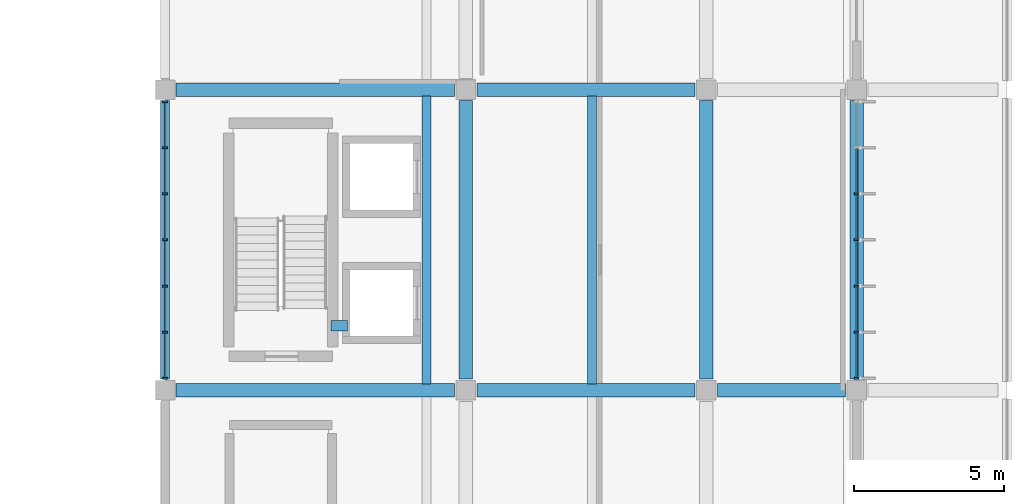
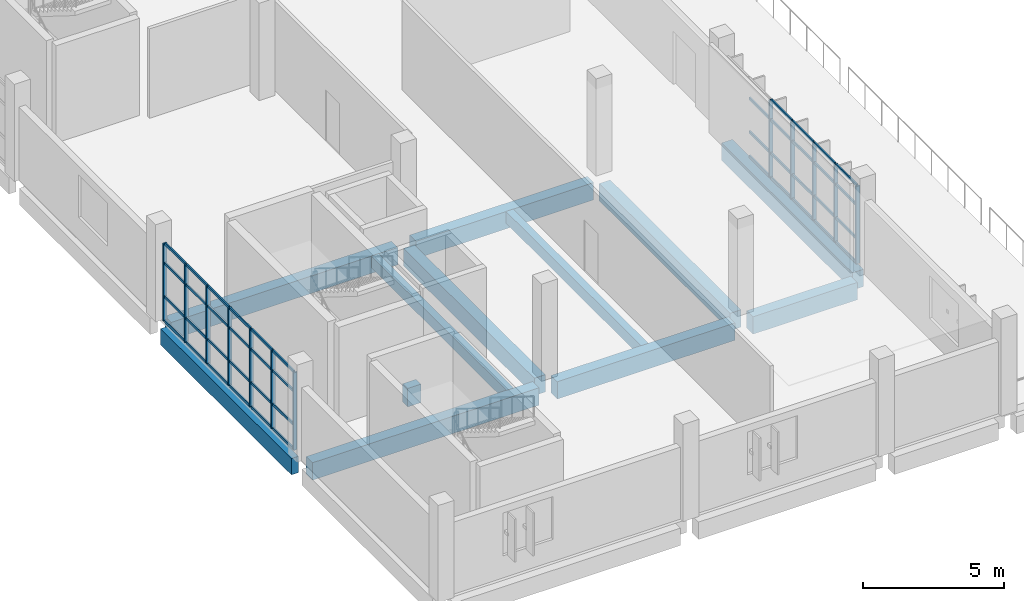
# One storey, part 54 of 142: 55 members, 12 beams, 2 elements without a shape of their own.
"""IFC4 building model written with IfcOpenShell, lengths in metres."""

from ifc_helpers import new_model, si_unit, direction, frame, origin, origin_2d, place, context, subcontext, project, spatial, rectangle, extrude, material, layer, layer_set, material_profile, profile_set, type_object, element, aggregate, save


model = new_model("IFC4")

# Units and contexts
model_context = context("Model", 3, precision=1e-05, world=origin(), true_north=direction((0.0, 1.0)))
body_context = subcontext(model_context, "Body", "Model", "MODEL_VIEW")
ifc_project = project(units=[si_unit("LENGTHUNIT", "METRE"), si_unit("AREAUNIT", "SQUARE_METRE"), si_unit("VOLUMEUNIT", "CUBIC_METRE"), si_unit("PLANEANGLEUNIT", "RADIAN"), si_unit("MASSUNIT", "GRAM", prefix="KILO")], contexts=[model_context])

# Site, building, storey
site_placement = place(None, origin())
site = spatial("IfcSite", under=ifc_project, at=site_placement, CompositionType="ELEMENT")
building_placement = place(site_placement, origin())
building = spatial("IfcBuilding", under=site, at=building_placement, Name="Corvandel Quay Wholesale Market", CompositionType="ELEMENT")
storey_placement = place(building_placement, frame((0.0, 0.0, 10.800048828125)))
storey = spatial("IfcBuildingStorey", under=building, at=storey_placement, Name="L02", CompositionType="ELEMENT", Elevation=10.800048828125)

# Beam
ifc_material_1 = material(Name="Concrete C40/50", Category="concrete")
ifc_material_profile_1 = material_profile(ifc_material_1, rectangle(XDim=0.35009765625, YDim=0.800048828125, at=origin_2d()), Name="RC-CPL-350x800")
ifc_profile_set_1 = profile_set([ifc_material_profile_1], Name="Concrete C40/50")
beam_type_1 = type_object("IfcBeamType", Name="Core Shear Wall Coupling Beam CP01 350x800", PredefinedType="BEAM", material=ifc_profile_set_1)
beam_1_placement = place(storey_placement, frame((225.52490234375, 22.14990234375, -0.650146484375), z_axis=(1.0, 0.0, 0.0), x_axis=(0.0, 1.0, 0.0)))
element("IfcBeam", 1, at=beam_1_placement, inside=storey, type_object=beam_type_1, Name="Core Coupling Beam K6-L02", PredefinedType="BEAM", context=body_context, shape_type="SweptSolid", body=[
    extrude(rectangle(XDim=0.35009765625, YDim=0.800048828125, at=origin_2d()), origin(), (0.0, 0.0, 1.0), 0.550048828125),
])

# Curtain wall, members
ifc_material_2 = material(Name="Bronze anodised aluminium and low-E insulated glazing", Category="aluminium")
ifc_layer_1 = layer(ifc_material_2, 0.197998046875)
ifc_layer_set_1 = layer_set([ifc_layer_1], Name="Bronze anodised aluminium and low-E insulated glazing")
curtain_wall_type_1 = type_object("IfcCurtainWallType", Name="Stick Curtain Wall System CW14 H4260", PredefinedType="NOTDEFINED", material=ifc_layer_set_1)
curtain_wall_1_placement = place(storey_placement, origin())
curtain_wall_1 = element("IfcCurtainWall", 2, at=curtain_wall_1_placement, inside=storey, type_object=curtain_wall_type_1, Name="Curtain Wall CW-0156", PredefinedType="NOTDEFINED")
ifc_material_3 = material(Name="Anodised aluminium 6063-T6", Category="aluminium")
ifc_material_profile_2 = material_profile(ifc_material_3, rectangle(XDim=0.06494140625, YDim=0.14990234375, at=origin_2d()), Name="ALU-MUL-65x150")
ifc_profile_set_2 = profile_set([ifc_material_profile_2], Name="Anodised aluminium 6063-T6")
member_type_1 = type_object("IfcMemberType", Name="Curtain Wall Mullion ML02 65x150", PredefinedType="MULLION", material=ifc_profile_set_2)
member_1_placement = place(storey_placement, frame((243.0, 20.39990234375, 0.0), z_axis=(0.0, 0.0, 1.0), x_axis=(0.0, 1.0, 0.0)))
member_1 = element("IfcMember", 3, at=member_1_placement, type_object=member_type_1, Name="Mullion CW-0156-M00", PredefinedType="MULLION", context=body_context, shape_type="SweptSolid", body=[
    extrude(rectangle(XDim=0.06494140625, YDim=0.14990234375, at=origin_2d()), origin(), (0.0, 0.0, 1.0), 3.349853515625),
])
member_2_placement = place(storey_placement, frame((243.0, 21.933349609375, 0.0), z_axis=(0.0, 0.0, 1.0), x_axis=(0.0, 1.0, 0.0)))
member_2 = element("IfcMember", 4, at=member_2_placement, type_object=member_type_1, Name="Mullion CW-0156-M01", PredefinedType="MULLION", context=body_context, shape_type="SweptSolid", body=[
    extrude(rectangle(XDim=0.06494140625, YDim=0.14990234375, at=origin_2d()), origin(), (0.0, 0.0, 1.0), 3.349853515625),
])
member_3_placement = place(storey_placement, frame((243.0, 23.466796875, 0.0), z_axis=(0.0, 0.0, 1.0), x_axis=(0.0, 1.0, 0.0)))
member_3 = element("IfcMember", 5, at=member_3_placement, type_object=member_type_1, Name="Mullion CW-0156-M02", PredefinedType="MULLION", context=body_context, shape_type="SweptSolid", body=[
    extrude(rectangle(XDim=0.06494140625, YDim=0.14990234375, at=origin_2d()), origin(), (0.0, 0.0, 1.0), 3.349853515625),
])
member_4_placement = place(storey_placement, frame((243.0, 25.0, 0.0), z_axis=(0.0, 0.0, 1.0), x_axis=(0.0, 1.0, 0.0)))
member_4 = element("IfcMember", 6, at=member_4_placement, type_object=member_type_1, Name="Mullion CW-0156-M03", PredefinedType="MULLION", context=body_context, shape_type="SweptSolid", body=[
    extrude(rectangle(XDim=0.06494140625, YDim=0.14990234375, at=origin_2d()), origin(), (0.0, 0.0, 1.0), 3.349853515625),
])
member_5_placement = place(storey_placement, frame((243.0, 26.533203125, 0.0), z_axis=(0.0, 0.0, 1.0), x_axis=(0.0, 1.0, 0.0)))
member_5 = element("IfcMember", 7, at=member_5_placement, type_object=member_type_1, Name="Mullion CW-0156-M04", PredefinedType="MULLION", context=body_context, shape_type="SweptSolid", body=[
    extrude(rectangle(XDim=0.06494140625, YDim=0.14990234375, at=origin_2d()), origin(), (0.0, 0.0, 1.0), 3.349853515625),
])

ifc_layer_2 = layer(ifc_material_2, 0.14990234375)
ifc_layer_set_2 = layer_set([ifc_layer_2], Name="Bronze anodised aluminium and low-E insulated glazing")
curtain_wall_type_2 = type_object("IfcCurtainWallType", Name="Stick Curtain Wall System CW20 H4800", PredefinedType="NOTDEFINED", material=ifc_layer_set_2)
curtain_wall_2_placement = place(storey_placement, origin())
curtain_wall_2 = element("IfcCurtainWall", 8, at=curtain_wall_2_placement, inside=storey, type_object=curtain_wall_type_2, Name="Curtain Wall CW-0157", PredefinedType="NOTDEFINED")
member_6_placement = place(storey_placement, frame((220.0, 20.39990234375, 0.0), z_axis=(0.0, 0.0, 1.0), x_axis=(0.0, 1.0, 0.0)))
member_6 = element("IfcMember", 9, at=member_6_placement, type_object=member_type_1, Name="Mullion CW-0157-M00", PredefinedType="MULLION", context=body_context, shape_type="SweptSolid", body=[
    extrude(rectangle(XDim=0.06494140625, YDim=0.14990234375, at=origin_2d()), origin(), (0.0, 0.0, 1.0), 3.349853515625),
])
member_7_placement = place(storey_placement, frame((220.0, 21.933349609375, 0.0), z_axis=(0.0, 0.0, 1.0), x_axis=(0.0, 1.0, 0.0)))
member_7 = element("IfcMember", 10, at=member_7_placement, type_object=member_type_1, Name="Mullion CW-0157-M01", PredefinedType="MULLION", context=body_context, shape_type="SweptSolid", body=[
    extrude(rectangle(XDim=0.06494140625, YDim=0.14990234375, at=origin_2d()), origin(), (0.0, 0.0, 1.0), 3.349853515625),
])
member_8_placement = place(storey_placement, frame((220.0, 23.466796875, 0.0), z_axis=(0.0, 0.0, 1.0), x_axis=(0.0, 1.0, 0.0)))
member_8 = element("IfcMember", 11, at=member_8_placement, type_object=member_type_1, Name="Mullion CW-0157-M02", PredefinedType="MULLION", context=body_context, shape_type="SweptSolid", body=[
    extrude(rectangle(XDim=0.06494140625, YDim=0.14990234375, at=origin_2d()), origin(), (0.0, 0.0, 1.0), 3.349853515625),
])
member_9_placement = place(storey_placement, frame((220.0, 25.0, 0.0), z_axis=(0.0, 0.0, 1.0), x_axis=(0.0, 1.0, 0.0)))
member_9 = element("IfcMember", 12, at=member_9_placement, type_object=member_type_1, Name="Mullion CW-0157-M03", PredefinedType="MULLION", context=body_context, shape_type="SweptSolid", body=[
    extrude(rectangle(XDim=0.06494140625, YDim=0.14990234375, at=origin_2d()), origin(), (0.0, 0.0, 1.0), 3.349853515625),
])
member_10_placement = place(storey_placement, frame((220.0, 26.533203125, 0.0), z_axis=(0.0, 0.0, 1.0), x_axis=(0.0, 1.0, 0.0)))
member_10 = element("IfcMember", 13, at=member_10_placement, type_object=member_type_1, Name="Mullion CW-0157-M04", PredefinedType="MULLION", context=body_context, shape_type="SweptSolid", body=[
    extrude(rectangle(XDim=0.06494140625, YDim=0.14990234375, at=origin_2d()), origin(), (0.0, 0.0, 1.0), 3.349853515625),
])
member_11_placement = place(storey_placement, frame((220.0, 28.066650390625, 0.0), z_axis=(0.0, 0.0, 1.0), x_axis=(0.0, 1.0, 0.0)))
member_11 = element("IfcMember", 14, at=member_11_placement, type_object=member_type_1, Name="Mullion CW-0157-M05", PredefinedType="MULLION", context=body_context, shape_type="SweptSolid", body=[
    extrude(rectangle(XDim=0.06494140625, YDim=0.14990234375, at=origin_2d()), origin(), (0.0, 0.0, 1.0), 3.349853515625),
])
member_12_placement = place(storey_placement, frame((220.0, 29.60009765625, 0.0), z_axis=(0.0, 0.0, 1.0), x_axis=(0.0, 1.0, 0.0)))
member_12 = element("IfcMember", 15, at=member_12_placement, type_object=member_type_1, Name="Mullion CW-0157-M06", PredefinedType="MULLION", context=body_context, shape_type="SweptSolid", body=[
    extrude(rectangle(XDim=0.06494140625, YDim=0.14990234375, at=origin_2d()), origin(), (0.0, 0.0, 1.0), 3.349853515625),
])

# Member
ifc_material_profile_3 = material_profile(ifc_material_3, rectangle(XDim=0.06005859375, YDim=0.110107421875, at=origin_2d()), Name="ALU-TRN-60x110")
ifc_profile_set_3 = profile_set([ifc_material_profile_3], Name="Anodised aluminium 6063-T6")
member_type_2 = type_object("IfcMemberType", Name="Curtain Wall Transom TR02 60x110", PredefinedType="USERDEFINED", material=ifc_profile_set_3)
member_13_placement = place(storey_placement, frame((243.0, 20.4326171875, 0.0), z_axis=(0.0, 1.0, 0.0), x_axis=(-1.0, 0.0, 0.0)))
member_13 = element("IfcMember", 16, at=member_13_placement, type_object=member_type_2, Name="Transom CW-0156-T00-0", ObjectType="TRANSOM", PredefinedType="USERDEFINED", context=body_context, shape_type="SweptSolid", body=[
    extrude(rectangle(XDim=0.06005859375, YDim=0.110107421875, at=origin_2d()), origin(), (0.0, 0.0, 1.0), 1.46826171875),
])

member_14_placement = place(storey_placement, frame((243.0, 20.4326171875, 1.050048828125), z_axis=(0.0, 1.0, 0.0), x_axis=(-1.0, 0.0, 0.0)))
member_14 = element("IfcMember", 17, at=member_14_placement, type_object=member_type_2, Name="Transom CW-0156-T00-1", ObjectType="TRANSOM", PredefinedType="USERDEFINED", context=body_context, shape_type="SweptSolid", body=[
    extrude(rectangle(XDim=0.06005859375, YDim=0.110107421875, at=origin_2d()), origin(), (0.0, 0.0, 1.0), 1.46826171875),
])

member_15_placement = place(storey_placement, frame((243.0, 20.4326171875, 2.5), z_axis=(0.0, 1.0, 0.0), x_axis=(-1.0, 0.0, 0.0)))
member_15 = element("IfcMember", 18, at=member_15_placement, type_object=member_type_2, Name="Transom CW-0156-T00-2", ObjectType="TRANSOM", PredefinedType="USERDEFINED", context=body_context, shape_type="SweptSolid", body=[
    extrude(rectangle(XDim=0.06005859375, YDim=0.110107421875, at=origin_2d()), origin(), (0.0, 0.0, 1.0), 1.46826171875),
])

member_16_placement = place(storey_placement, frame((243.0, 20.4326171875, 3.349853515625), z_axis=(0.0, 1.0, 0.0), x_axis=(-1.0, 0.0, 0.0)))
member_16 = element("IfcMember", 19, at=member_16_placement, type_object=member_type_2, Name="Transom CW-0156-T00-3", ObjectType="TRANSOM", PredefinedType="USERDEFINED", context=body_context, shape_type="SweptSolid", body=[
    extrude(rectangle(XDim=0.06005859375, YDim=0.110107421875, at=origin_2d()), origin(), (0.0, 0.0, 1.0), 1.46826171875),
])

member_17_placement = place(storey_placement, frame((243.0, 21.9658203125, 0.0), z_axis=(0.0, 1.0, 0.0), x_axis=(-1.0, 0.0, 0.0)))
member_17 = element("IfcMember", 20, at=member_17_placement, type_object=member_type_2, Name="Transom CW-0156-T01-0", ObjectType="TRANSOM", PredefinedType="USERDEFINED", context=body_context, shape_type="SweptSolid", body=[
    extrude(rectangle(XDim=0.06005859375, YDim=0.110107421875, at=origin_2d()), origin(), (0.0, 0.0, 1.0), 1.46826171875),
])

member_18_placement = place(storey_placement, frame((243.0, 21.9658203125, 1.050048828125), z_axis=(0.0, 1.0, 0.0), x_axis=(-1.0, 0.0, 0.0)))
member_18 = element("IfcMember", 21, at=member_18_placement, type_object=member_type_2, Name="Transom CW-0156-T01-1", ObjectType="TRANSOM", PredefinedType="USERDEFINED", context=body_context, shape_type="SweptSolid", body=[
    extrude(rectangle(XDim=0.06005859375, YDim=0.110107421875, at=origin_2d()), origin(), (0.0, 0.0, 1.0), 1.46826171875),
])

member_19_placement = place(storey_placement, frame((243.0, 21.9658203125, 2.5), z_axis=(0.0, 1.0, 0.0), x_axis=(-1.0, 0.0, 0.0)))
member_19 = element("IfcMember", 22, at=member_19_placement, type_object=member_type_2, Name="Transom CW-0156-T01-2", ObjectType="TRANSOM", PredefinedType="USERDEFINED", context=body_context, shape_type="SweptSolid", body=[
    extrude(rectangle(XDim=0.06005859375, YDim=0.110107421875, at=origin_2d()), origin(), (0.0, 0.0, 1.0), 1.46826171875),
])

member_20_placement = place(storey_placement, frame((243.0, 21.9658203125, 3.349853515625), z_axis=(0.0, 1.0, 0.0), x_axis=(-1.0, 0.0, 0.0)))
member_20 = element("IfcMember", 23, at=member_20_placement, type_object=member_type_2, Name="Transom CW-0156-T01-3", ObjectType="TRANSOM", PredefinedType="USERDEFINED", context=body_context, shape_type="SweptSolid", body=[
    extrude(rectangle(XDim=0.06005859375, YDim=0.110107421875, at=origin_2d()), origin(), (0.0, 0.0, 1.0), 1.46826171875),
])

member_21_placement = place(storey_placement, frame((243.0, 23.499267578125, 0.0), z_axis=(0.0, 1.0, 0.0), x_axis=(-1.0, 0.0, 0.0)))
member_21 = element("IfcMember", 24, at=member_21_placement, type_object=member_type_2, Name="Transom CW-0156-T02-0", ObjectType="TRANSOM", PredefinedType="USERDEFINED", context=body_context, shape_type="SweptSolid", body=[
    extrude(rectangle(XDim=0.06005859375, YDim=0.110107421875, at=origin_2d()), origin(), (0.0, 0.0, 1.0), 1.46826171875),
])

member_22_placement = place(storey_placement, frame((243.0, 23.499267578125, 1.050048828125), z_axis=(0.0, 1.0, 0.0), x_axis=(-1.0, 0.0, 0.0)))
member_22 = element("IfcMember", 25, at=member_22_placement, type_object=member_type_2, Name="Transom CW-0156-T02-1", ObjectType="TRANSOM", PredefinedType="USERDEFINED", context=body_context, shape_type="SweptSolid", body=[
    extrude(rectangle(XDim=0.06005859375, YDim=0.110107421875, at=origin_2d()), origin(), (0.0, 0.0, 1.0), 1.46826171875),
])

member_23_placement = place(storey_placement, frame((243.0, 23.499267578125, 2.5), z_axis=(0.0, 1.0, 0.0), x_axis=(-1.0, 0.0, 0.0)))
member_23 = element("IfcMember", 26, at=member_23_placement, type_object=member_type_2, Name="Transom CW-0156-T02-2", ObjectType="TRANSOM", PredefinedType="USERDEFINED", context=body_context, shape_type="SweptSolid", body=[
    extrude(rectangle(XDim=0.06005859375, YDim=0.110107421875, at=origin_2d()), origin(), (0.0, 0.0, 1.0), 1.46826171875),
])

member_24_placement = place(storey_placement, frame((243.0, 23.499267578125, 3.349853515625), z_axis=(0.0, 1.0, 0.0), x_axis=(-1.0, 0.0, 0.0)))
member_24 = element("IfcMember", 27, at=member_24_placement, type_object=member_type_2, Name="Transom CW-0156-T02-3", ObjectType="TRANSOM", PredefinedType="USERDEFINED", context=body_context, shape_type="SweptSolid", body=[
    extrude(rectangle(XDim=0.06005859375, YDim=0.110107421875, at=origin_2d()), origin(), (0.0, 0.0, 1.0), 1.46826171875),
])

member_25_placement = place(storey_placement, frame((243.0, 25.032470703125, 0.0), z_axis=(0.0, 1.0, 0.0), x_axis=(-1.0, 0.0, 0.0)))
member_25 = element("IfcMember", 28, at=member_25_placement, type_object=member_type_2, Name="Transom CW-0156-T03-0", ObjectType="TRANSOM", PredefinedType="USERDEFINED", context=body_context, shape_type="SweptSolid", body=[
    extrude(rectangle(XDim=0.06005859375, YDim=0.110107421875, at=origin_2d()), origin(), (0.0, 0.0, 1.0), 1.46826171875),
])

member_26_placement = place(storey_placement, frame((243.0, 25.032470703125, 1.050048828125), z_axis=(0.0, 1.0, 0.0), x_axis=(-1.0, 0.0, 0.0)))
member_26 = element("IfcMember", 29, at=member_26_placement, type_object=member_type_2, Name="Transom CW-0156-T03-1", ObjectType="TRANSOM", PredefinedType="USERDEFINED", context=body_context, shape_type="SweptSolid", body=[
    extrude(rectangle(XDim=0.06005859375, YDim=0.110107421875, at=origin_2d()), origin(), (0.0, 0.0, 1.0), 1.46826171875),
])

member_27_placement = place(storey_placement, frame((243.0, 25.032470703125, 2.5), z_axis=(0.0, 1.0, 0.0), x_axis=(-1.0, 0.0, 0.0)))
member_27 = element("IfcMember", 30, at=member_27_placement, type_object=member_type_2, Name="Transom CW-0156-T03-2", ObjectType="TRANSOM", PredefinedType="USERDEFINED", context=body_context, shape_type="SweptSolid", body=[
    extrude(rectangle(XDim=0.06005859375, YDim=0.110107421875, at=origin_2d()), origin(), (0.0, 0.0, 1.0), 1.46826171875),
])

member_28_placement = place(storey_placement, frame((243.0, 25.032470703125, 3.349853515625), z_axis=(0.0, 1.0, 0.0), x_axis=(-1.0, 0.0, 0.0)))
member_28 = element("IfcMember", 31, at=member_28_placement, type_object=member_type_2, Name="Transom CW-0156-T03-3", ObjectType="TRANSOM", PredefinedType="USERDEFINED", context=body_context, shape_type="SweptSolid", body=[
    extrude(rectangle(XDim=0.06005859375, YDim=0.110107421875, at=origin_2d()), origin(), (0.0, 0.0, 1.0), 1.46826171875),
])

member_29_placement = place(storey_placement, frame((243.0, 26.56591796875, 0.0), z_axis=(0.0, 1.0, 0.0), x_axis=(-1.0, 0.0, 0.0)))
member_29 = element("IfcMember", 32, at=member_29_placement, type_object=member_type_2, Name="Transom CW-0156-T04-0", ObjectType="TRANSOM", PredefinedType="USERDEFINED", context=body_context, shape_type="SweptSolid", body=[
    extrude(rectangle(XDim=0.06005859375, YDim=0.110107421875, at=origin_2d()), origin(), (0.0, 0.0, 1.0), 1.46826171875),
])

member_30_placement = place(storey_placement, frame((243.0, 26.56591796875, 1.050048828125), z_axis=(0.0, 1.0, 0.0), x_axis=(-1.0, 0.0, 0.0)))
member_30 = element("IfcMember", 33, at=member_30_placement, type_object=member_type_2, Name="Transom CW-0156-T04-1", ObjectType="TRANSOM", PredefinedType="USERDEFINED", context=body_context, shape_type="SweptSolid", body=[
    extrude(rectangle(XDim=0.06005859375, YDim=0.110107421875, at=origin_2d()), origin(), (0.0, 0.0, 1.0), 1.46826171875),
])

member_31_placement = place(storey_placement, frame((243.0, 26.56591796875, 2.5), z_axis=(0.0, 1.0, 0.0), x_axis=(-1.0, 0.0, 0.0)))
member_31 = element("IfcMember", 34, at=member_31_placement, type_object=member_type_2, Name="Transom CW-0156-T04-2", ObjectType="TRANSOM", PredefinedType="USERDEFINED", context=body_context, shape_type="SweptSolid", body=[
    extrude(rectangle(XDim=0.06005859375, YDim=0.110107421875, at=origin_2d()), origin(), (0.0, 0.0, 1.0), 1.46826171875),
])

aggregate(curtain_wall_1, [member_1, member_2, member_3, member_4, member_5, member_13, member_14, member_15, member_16, member_17, member_18, member_19, member_20, member_21, member_22, member_23, member_24, member_25, member_26, member_27, member_28, member_29, member_30, member_31])

member_32_placement = place(storey_placement, frame((220.0, 20.4326171875, 0.0), z_axis=(0.0, 1.0, 0.0), x_axis=(-1.0, 0.0, 0.0)))
member_32 = element("IfcMember", 35, at=member_32_placement, type_object=member_type_2, Name="Transom CW-0157-T00-0", ObjectType="TRANSOM", PredefinedType="USERDEFINED", context=body_context, shape_type="SweptSolid", body=[
    extrude(rectangle(XDim=0.06005859375, YDim=0.110107421875, at=origin_2d()), origin(), (0.0, 0.0, 1.0), 1.46826171875),
])

member_33_placement = place(storey_placement, frame((220.0, 20.4326171875, 1.050048828125), z_axis=(0.0, 1.0, 0.0), x_axis=(-1.0, 0.0, 0.0)))
member_33 = element("IfcMember", 36, at=member_33_placement, type_object=member_type_2, Name="Transom CW-0157-T00-1", ObjectType="TRANSOM", PredefinedType="USERDEFINED", context=body_context, shape_type="SweptSolid", body=[
    extrude(rectangle(XDim=0.06005859375, YDim=0.110107421875, at=origin_2d()), origin(), (0.0, 0.0, 1.0), 1.46826171875),
])

member_34_placement = place(storey_placement, frame((220.0, 20.4326171875, 2.5), z_axis=(0.0, 1.0, 0.0), x_axis=(-1.0, 0.0, 0.0)))
member_34 = element("IfcMember", 37, at=member_34_placement, type_object=member_type_2, Name="Transom CW-0157-T00-2", ObjectType="TRANSOM", PredefinedType="USERDEFINED", context=body_context, shape_type="SweptSolid", body=[
    extrude(rectangle(XDim=0.06005859375, YDim=0.110107421875, at=origin_2d()), origin(), (0.0, 0.0, 1.0), 1.46826171875),
])

member_35_placement = place(storey_placement, frame((220.0, 20.4326171875, 3.349853515625), z_axis=(0.0, 1.0, 0.0), x_axis=(-1.0, 0.0, 0.0)))
member_35 = element("IfcMember", 38, at=member_35_placement, type_object=member_type_2, Name="Transom CW-0157-T00-3", ObjectType="TRANSOM", PredefinedType="USERDEFINED", context=body_context, shape_type="SweptSolid", body=[
    extrude(rectangle(XDim=0.06005859375, YDim=0.110107421875, at=origin_2d()), origin(), (0.0, 0.0, 1.0), 1.46826171875),
])

member_36_placement = place(storey_placement, frame((220.0, 21.9658203125, 0.0), z_axis=(0.0, 1.0, 0.0), x_axis=(-1.0, 0.0, 0.0)))
member_36 = element("IfcMember", 39, at=member_36_placement, type_object=member_type_2, Name="Transom CW-0157-T01-0", ObjectType="TRANSOM", PredefinedType="USERDEFINED", context=body_context, shape_type="SweptSolid", body=[
    extrude(rectangle(XDim=0.06005859375, YDim=0.110107421875, at=origin_2d()), origin(), (0.0, 0.0, 1.0), 1.46826171875),
])

member_37_placement = place(storey_placement, frame((220.0, 21.9658203125, 1.050048828125), z_axis=(0.0, 1.0, 0.0), x_axis=(-1.0, 0.0, 0.0)))
member_37 = element("IfcMember", 40, at=member_37_placement, type_object=member_type_2, Name="Transom CW-0157-T01-1", ObjectType="TRANSOM", PredefinedType="USERDEFINED", context=body_context, shape_type="SweptSolid", body=[
    extrude(rectangle(XDim=0.06005859375, YDim=0.110107421875, at=origin_2d()), origin(), (0.0, 0.0, 1.0), 1.46826171875),
])

member_38_placement = place(storey_placement, frame((220.0, 21.9658203125, 2.5), z_axis=(0.0, 1.0, 0.0), x_axis=(-1.0, 0.0, 0.0)))
member_38 = element("IfcMember", 41, at=member_38_placement, type_object=member_type_2, Name="Transom CW-0157-T01-2", ObjectType="TRANSOM", PredefinedType="USERDEFINED", context=body_context, shape_type="SweptSolid", body=[
    extrude(rectangle(XDim=0.06005859375, YDim=0.110107421875, at=origin_2d()), origin(), (0.0, 0.0, 1.0), 1.46826171875),
])

member_39_placement = place(storey_placement, frame((220.0, 21.9658203125, 3.349853515625), z_axis=(0.0, 1.0, 0.0), x_axis=(-1.0, 0.0, 0.0)))
member_39 = element("IfcMember", 42, at=member_39_placement, type_object=member_type_2, Name="Transom CW-0157-T01-3", ObjectType="TRANSOM", PredefinedType="USERDEFINED", context=body_context, shape_type="SweptSolid", body=[
    extrude(rectangle(XDim=0.06005859375, YDim=0.110107421875, at=origin_2d()), origin(), (0.0, 0.0, 1.0), 1.46826171875),
])

member_40_placement = place(storey_placement, frame((220.0, 23.499267578125, 0.0), z_axis=(0.0, 1.0, 0.0), x_axis=(-1.0, 0.0, 0.0)))
member_40 = element("IfcMember", 43, at=member_40_placement, type_object=member_type_2, Name="Transom CW-0157-T02-0", ObjectType="TRANSOM", PredefinedType="USERDEFINED", context=body_context, shape_type="SweptSolid", body=[
    extrude(rectangle(XDim=0.06005859375, YDim=0.110107421875, at=origin_2d()), origin(), (0.0, 0.0, 1.0), 1.46826171875),
])

member_41_placement = place(storey_placement, frame((220.0, 23.499267578125, 1.050048828125), z_axis=(0.0, 1.0, 0.0), x_axis=(-1.0, 0.0, 0.0)))
member_41 = element("IfcMember", 44, at=member_41_placement, type_object=member_type_2, Name="Transom CW-0157-T02-1", ObjectType="TRANSOM", PredefinedType="USERDEFINED", context=body_context, shape_type="SweptSolid", body=[
    extrude(rectangle(XDim=0.06005859375, YDim=0.110107421875, at=origin_2d()), origin(), (0.0, 0.0, 1.0), 1.46826171875),
])

member_42_placement = place(storey_placement, frame((220.0, 23.499267578125, 2.5), z_axis=(0.0, 1.0, 0.0), x_axis=(-1.0, 0.0, 0.0)))
member_42 = element("IfcMember", 45, at=member_42_placement, type_object=member_type_2, Name="Transom CW-0157-T02-2", ObjectType="TRANSOM", PredefinedType="USERDEFINED", context=body_context, shape_type="SweptSolid", body=[
    extrude(rectangle(XDim=0.06005859375, YDim=0.110107421875, at=origin_2d()), origin(), (0.0, 0.0, 1.0), 1.46826171875),
])

member_43_placement = place(storey_placement, frame((220.0, 23.499267578125, 3.349853515625), z_axis=(0.0, 1.0, 0.0), x_axis=(-1.0, 0.0, 0.0)))
member_43 = element("IfcMember", 46, at=member_43_placement, type_object=member_type_2, Name="Transom CW-0157-T02-3", ObjectType="TRANSOM", PredefinedType="USERDEFINED", context=body_context, shape_type="SweptSolid", body=[
    extrude(rectangle(XDim=0.06005859375, YDim=0.110107421875, at=origin_2d()), origin(), (0.0, 0.0, 1.0), 1.46826171875),
])

member_44_placement = place(storey_placement, frame((220.0, 25.032470703125, 0.0), z_axis=(0.0, 1.0, 0.0), x_axis=(-1.0, 0.0, 0.0)))
member_44 = element("IfcMember", 47, at=member_44_placement, type_object=member_type_2, Name="Transom CW-0157-T03-0", ObjectType="TRANSOM", PredefinedType="USERDEFINED", context=body_context, shape_type="SweptSolid", body=[
    extrude(rectangle(XDim=0.06005859375, YDim=0.110107421875, at=origin_2d()), origin(), (0.0, 0.0, 1.0), 1.46826171875),
])

member_45_placement = place(storey_placement, frame((220.0, 25.032470703125, 1.050048828125), z_axis=(0.0, 1.0, 0.0), x_axis=(-1.0, 0.0, 0.0)))
member_45 = element("IfcMember", 48, at=member_45_placement, type_object=member_type_2, Name="Transom CW-0157-T03-1", ObjectType="TRANSOM", PredefinedType="USERDEFINED", context=body_context, shape_type="SweptSolid", body=[
    extrude(rectangle(XDim=0.06005859375, YDim=0.110107421875, at=origin_2d()), origin(), (0.0, 0.0, 1.0), 1.46826171875),
])

member_46_placement = place(storey_placement, frame((220.0, 25.032470703125, 2.5), z_axis=(0.0, 1.0, 0.0), x_axis=(-1.0, 0.0, 0.0)))
member_46 = element("IfcMember", 49, at=member_46_placement, type_object=member_type_2, Name="Transom CW-0157-T03-2", ObjectType="TRANSOM", PredefinedType="USERDEFINED", context=body_context, shape_type="SweptSolid", body=[
    extrude(rectangle(XDim=0.06005859375, YDim=0.110107421875, at=origin_2d()), origin(), (0.0, 0.0, 1.0), 1.46826171875),
])

member_47_placement = place(storey_placement, frame((220.0, 25.032470703125, 3.349853515625), z_axis=(0.0, 1.0, 0.0), x_axis=(-1.0, 0.0, 0.0)))
member_47 = element("IfcMember", 50, at=member_47_placement, type_object=member_type_2, Name="Transom CW-0157-T03-3", ObjectType="TRANSOM", PredefinedType="USERDEFINED", context=body_context, shape_type="SweptSolid", body=[
    extrude(rectangle(XDim=0.06005859375, YDim=0.110107421875, at=origin_2d()), origin(), (0.0, 0.0, 1.0), 1.46826171875),
])

member_48_placement = place(storey_placement, frame((220.0, 26.56591796875, 0.0), z_axis=(0.0, 1.0, 0.0), x_axis=(-1.0, 0.0, 0.0)))
member_48 = element("IfcMember", 51, at=member_48_placement, type_object=member_type_2, Name="Transom CW-0157-T04-0", ObjectType="TRANSOM", PredefinedType="USERDEFINED", context=body_context, shape_type="SweptSolid", body=[
    extrude(rectangle(XDim=0.06005859375, YDim=0.110107421875, at=origin_2d()), origin(), (0.0, 0.0, 1.0), 1.46826171875),
])

member_49_placement = place(storey_placement, frame((220.0, 26.56591796875, 1.050048828125), z_axis=(0.0, 1.0, 0.0), x_axis=(-1.0, 0.0, 0.0)))
member_49 = element("IfcMember", 52, at=member_49_placement, type_object=member_type_2, Name="Transom CW-0157-T04-1", ObjectType="TRANSOM", PredefinedType="USERDEFINED", context=body_context, shape_type="SweptSolid", body=[
    extrude(rectangle(XDim=0.06005859375, YDim=0.110107421875, at=origin_2d()), origin(), (0.0, 0.0, 1.0), 1.46826171875),
])

member_50_placement = place(storey_placement, frame((220.0, 26.56591796875, 2.5), z_axis=(0.0, 1.0, 0.0), x_axis=(-1.0, 0.0, 0.0)))
member_50 = element("IfcMember", 53, at=member_50_placement, type_object=member_type_2, Name="Transom CW-0157-T04-2", ObjectType="TRANSOM", PredefinedType="USERDEFINED", context=body_context, shape_type="SweptSolid", body=[
    extrude(rectangle(XDim=0.06005859375, YDim=0.110107421875, at=origin_2d()), origin(), (0.0, 0.0, 1.0), 1.46826171875),
])

member_51_placement = place(storey_placement, frame((220.0, 26.56591796875, 3.349853515625), z_axis=(0.0, 1.0, 0.0), x_axis=(-1.0, 0.0, 0.0)))
member_51 = element("IfcMember", 54, at=member_51_placement, type_object=member_type_2, Name="Transom CW-0157-T04-3", ObjectType="TRANSOM", PredefinedType="USERDEFINED", context=body_context, shape_type="SweptSolid", body=[
    extrude(rectangle(XDim=0.06005859375, YDim=0.110107421875, at=origin_2d()), origin(), (0.0, 0.0, 1.0), 1.46826171875),
])

member_52_placement = place(storey_placement, frame((220.0, 28.09912109375, 0.0), z_axis=(0.0, 1.0, 0.0), x_axis=(-1.0, 0.0, 0.0)))
member_52 = element("IfcMember", 55, at=member_52_placement, type_object=member_type_2, Name="Transom CW-0157-T05-0", ObjectType="TRANSOM", PredefinedType="USERDEFINED", context=body_context, shape_type="SweptSolid", body=[
    extrude(rectangle(XDim=0.06005859375, YDim=0.110107421875, at=origin_2d()), origin(), (0.0, 0.0, 1.0), 1.46826171875),
])

member_53_placement = place(storey_placement, frame((220.0, 28.09912109375, 1.050048828125), z_axis=(0.0, 1.0, 0.0), x_axis=(-1.0, 0.0, 0.0)))
member_53 = element("IfcMember", 56, at=member_53_placement, type_object=member_type_2, Name="Transom CW-0157-T05-1", ObjectType="TRANSOM", PredefinedType="USERDEFINED", context=body_context, shape_type="SweptSolid", body=[
    extrude(rectangle(XDim=0.06005859375, YDim=0.110107421875, at=origin_2d()), origin(), (0.0, 0.0, 1.0), 1.46826171875),
])

member_54_placement = place(storey_placement, frame((220.0, 28.09912109375, 2.5), z_axis=(0.0, 1.0, 0.0), x_axis=(-1.0, 0.0, 0.0)))
member_54 = element("IfcMember", 57, at=member_54_placement, type_object=member_type_2, Name="Transom CW-0157-T05-2", ObjectType="TRANSOM", PredefinedType="USERDEFINED", context=body_context, shape_type="SweptSolid", body=[
    extrude(rectangle(XDim=0.06005859375, YDim=0.110107421875, at=origin_2d()), origin(), (0.0, 0.0, 1.0), 1.46826171875),
])

member_55_placement = place(storey_placement, frame((220.0, 28.09912109375, 3.349853515625), z_axis=(0.0, 1.0, 0.0), x_axis=(-1.0, 0.0, 0.0)))
member_55 = element("IfcMember", 58, at=member_55_placement, type_object=member_type_2, Name="Transom CW-0157-T05-3", ObjectType="TRANSOM", PredefinedType="USERDEFINED", context=body_context, shape_type="SweptSolid", body=[
    extrude(rectangle(XDim=0.06005859375, YDim=0.110107421875, at=origin_2d()), origin(), (0.0, 0.0, 1.0), 1.46826171875),
])

aggregate(curtain_wall_2, [member_6, member_7, member_8, member_9, member_10, member_11, member_12, member_32, member_33, member_34, member_35, member_36, member_37, member_38, member_39, member_40, member_41, member_42, member_43, member_44, member_45, member_46, member_47, member_48, member_49, member_50, member_51, member_52, member_53, member_54, member_55])

# Beams
ifc_material_4 = material(Name="Precast concrete C45/55", Category="concrete")
ifc_material_profile_4 = material_profile(ifc_material_4, rectangle(XDim=0.300048828125, YDim=0.5, at=origin_2d()), Name="PC-BM-300x500")
ifc_profile_set_4 = profile_set([ifc_material_profile_4], Name="Precast concrete C45/55")
beam_type_2 = type_object("IfcBeamType", Name="Office Floor Secondary Beam B04 300x500", PredefinedType="BEAM", material=ifc_profile_set_4)
for number, where, z_axis, x_axis, name in (
    (59, (228.699951171875, 20.215087890625, -0.570068359375), (0.0, 1.0, 0.0), (-1.0, 0.0, 0.0), "Beam BM-1596"),
    (60, (234.199951171875, 20.215087890625, -0.570068359375), (0.0, 1.0, 0.0), (-1.0, 0.0, 0.0), "Beam BM-1597"),
):
    element("IfcBeam", number, at=place(storey_placement, frame(where, z_axis=z_axis, x_axis=x_axis)), inside=storey, type_object=beam_type_2, Name=name, PredefinedType="BEAM", context=body_context, shape_type="SweptSolid", body=[
        extrude(rectangle(XDim=0.300048828125, YDim=0.5, at=origin_2d()), origin(), (0.0, 0.0, 1.0), 9.56982421875),
    ])
ifc_material_profile_5 = material_profile(ifc_material_4, rectangle(XDim=0.300048828125, YDim=0.699951171875, at=origin_2d()), Name="PC-SPN-300x700")
ifc_profile_set_5 = profile_set([ifc_material_profile_5], Name="Precast concrete C45/55")
beam_type_3 = type_object("IfcBeamType", Name="Terrace Edge Spandrel SP03 300x700", PredefinedType="SPANDREL", material=ifc_profile_set_5)
beam_2_placement = place(storey_placement, frame((220.0, 20.3701171875, -0.670166015625), z_axis=(0.0, 1.0, 0.0), x_axis=(-1.0, 0.0, 0.0)))
element("IfcBeam", 61, at=beam_2_placement, inside=storey, type_object=beam_type_3, Name="Beam BM-1550", PredefinedType="SPANDREL", context=body_context, shape_type="SweptSolid", body=[
    extrude(rectangle(XDim=0.300048828125, YDim=0.699951171875, at=origin_2d()), origin(), (0.0, 0.0, 1.0), 9.259765625),
])
ifc_material_profile_6 = material_profile(ifc_material_4, rectangle(XDim=0.449951171875, YDim=0.75, at=origin_2d()), Name="PC-GIR-450x750")
ifc_profile_set_6 = profile_set([ifc_material_profile_6], Name="Precast concrete C45/55")
beam_type_4 = type_object("IfcBeamType", Name="Waterfront Office Girder G06 450x750", PredefinedType="USERDEFINED", material=ifc_profile_set_6)
beam_3_placement = place(storey_placement, frame((220.3701171875, 20.0, -0.695068359375), z_axis=(1.0, 0.0, 0.0), x_axis=(0.0, 1.0, 0.0)))
element("IfcBeam", 62, at=beam_3_placement, inside=storey, type_object=beam_type_4, Name="Beam BM-1513", ObjectType="GIRDER", PredefinedType="USERDEFINED", context=body_context, shape_type="SweptSolid", body=[
    extrude(rectangle(XDim=0.449951171875, YDim=0.75, at=origin_2d()), origin(), (0.0, 0.0, 1.0), 9.259765625),
])
beam_4_placement = place(storey_placement, frame((230.3701171875, 20.0, -0.695068359375), z_axis=(1.0, 0.0, 0.0), x_axis=(0.0, 1.0, 0.0)))
element("IfcBeam", 63, at=beam_4_placement, inside=storey, type_object=beam_type_4, Name="Beam BM-1514", ObjectType="GIRDER", PredefinedType="USERDEFINED", context=body_context, shape_type="SweptSolid", body=[
    extrude(rectangle(XDim=0.449951171875, YDim=0.75, at=origin_2d()), origin(), (0.0, 0.0, 1.0), 7.259765625),
])
beam_5_placement = place(storey_placement, frame((238.3701171875, 20.0, -0.695068359375), z_axis=(1.0, 0.0, 0.0), x_axis=(0.0, 1.0, 0.0)))
element("IfcBeam", 64, at=beam_5_placement, inside=storey, type_object=beam_type_4, Name="Beam BM-1515", ObjectType="GIRDER", PredefinedType="USERDEFINED", context=body_context, shape_type="SweptSolid", body=[
    extrude(rectangle(XDim=0.449951171875, YDim=0.75, at=origin_2d()), origin(), (0.0, 0.0, 1.0), 4.259765625),
])
beam_6_placement = place(storey_placement, frame((220.3701171875, 30.0, -0.695068359375), z_axis=(1.0, 0.0, 0.0), x_axis=(0.0, 1.0, 0.0)))
element("IfcBeam", 65, at=beam_6_placement, inside=storey, type_object=beam_type_4, Name="Beam BM-1517", ObjectType="GIRDER", PredefinedType="USERDEFINED", context=body_context, shape_type="SweptSolid", body=[
    extrude(rectangle(XDim=0.449951171875, YDim=0.75, at=origin_2d()), origin(), (0.0, 0.0, 1.0), 9.259765625),
])
beam_7_placement = place(storey_placement, frame((230.3701171875, 30.0, -0.695068359375), z_axis=(1.0, 0.0, 0.0), x_axis=(0.0, 1.0, 0.0)))
element("IfcBeam", 66, at=beam_7_placement, inside=storey, type_object=beam_type_4, Name="Beam BM-1518", ObjectType="GIRDER", PredefinedType="USERDEFINED", context=body_context, shape_type="SweptSolid", body=[
    extrude(rectangle(XDim=0.449951171875, YDim=0.75, at=origin_2d()), origin(), (0.0, 0.0, 1.0), 7.259765625),
])
for number, where, z_axis, x_axis, name in (
    (67, (230.0, 20.3701171875, -0.695068359375), (0.0, 1.0, 0.0), (-1.0, 0.0, 0.0), "Beam BM-1559"),
    (68, (238.0, 20.3701171875, -0.695068359375), (0.0, 1.0, 0.0), (-1.0, 0.0, 0.0), "Beam BM-1568"),
    (69, (243.0, 20.3701171875, -0.695068359375), (0.0, 1.0, 0.0), (-1.0, 0.0, 0.0), "Beam BM-1577"),
):
    element("IfcBeam", number, at=place(storey_placement, frame(where, z_axis=z_axis, x_axis=x_axis)), inside=storey, type_object=beam_type_4, Name=name, ObjectType="GIRDER", PredefinedType="USERDEFINED", context=body_context, shape_type="SweptSolid", body=[
        extrude(rectangle(XDim=0.449951171875, YDim=0.75, at=origin_2d()), origin(), (0.0, 0.0, 1.0), 9.259765625),
    ])

save(model, "model.ifc")
